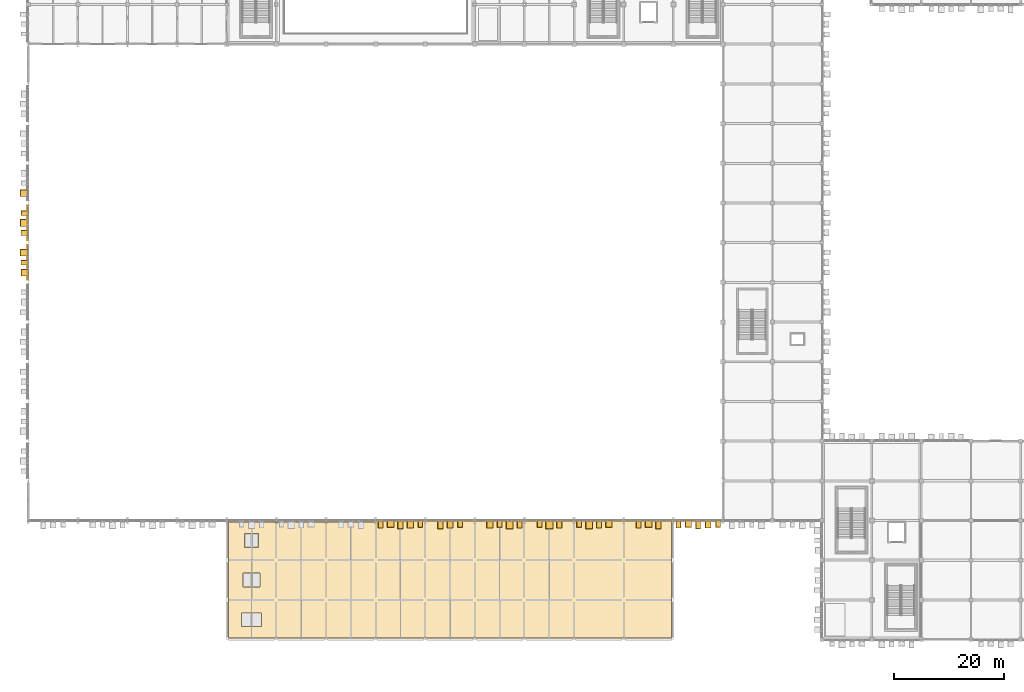
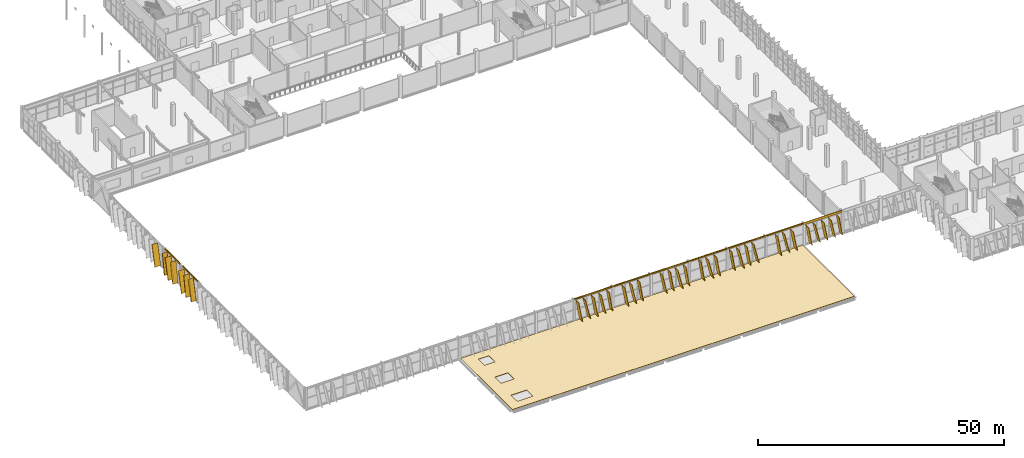
# One storey, part 159 of 189: 44 coverings, 34 shading devices.
"""IFC4 building model written with IfcOpenShell, lengths in metres."""

from ifc_helpers import new_model, si_unit, direction, frame, origin, origin_2d, place, context, subcontext, project, spatial, polyline, rectangle, outline, extrude, material, layer, layer_set, material_profile, profile_set, type_object, element, save


model = new_model("IFC4")

# Units and contexts
model_context = context("Model", 3, precision=1e-05, world=origin(), true_north=direction((0.0, 1.0)))
body_context = subcontext(model_context, "Body", "Model", "MODEL_VIEW")
ifc_project = project(units=[si_unit("LENGTHUNIT", "METRE"), si_unit("AREAUNIT", "SQUARE_METRE"), si_unit("VOLUMEUNIT", "CUBIC_METRE"), si_unit("PLANEANGLEUNIT", "RADIAN"), si_unit("MASSUNIT", "GRAM", prefix="KILO")], contexts=[model_context])

# Site, building, storey
site_placement = place(None, origin())
site = spatial("IfcSite", under=ifc_project, at=site_placement, CompositionType="ELEMENT")
building_placement = place(site_placement, origin())
building = spatial("IfcBuilding", under=site, at=building_placement, Name="Celestram Park Convention Centre", CompositionType="ELEMENT")
storey_placement = place(building_placement, frame((0.0, 0.0, 5.39990234375)))
storey = spatial("IfcBuildingStorey", under=building, at=storey_placement, Name="L01", CompositionType="ELEMENT", Elevation=5.39990234375)

# Coverings
ifc_material_1 = material(Name="Anodised Bronze Aluminium Spandrel Cladding", Category="aluminium")
ifc_layer_1 = layer(ifc_material_1, 0.050048828125)
ifc_layer_set_1 = layer_set([ifc_layer_1], Name="Anodised Bronze Aluminium Spandrel Cladding")
covering_type_1 = type_object("IfcCoveringType", Name="ARC-COV-CLD060", PredefinedType="CLADDING", material=ifc_layer_set_1)
for number, where, z_axis, x_axis, name in (
    (1, (-0.080078125, 68.39990234375, 5.1201171875), (0.0, 0.0, 1.0), (0.0, 1.0, 0.0), "Bronze spandrel cladding CL-L01-118"),
    (2, (-0.080078125, 75.60009765625, 5.1201171875), (0.0, 0.0, 1.0), (0.0, 1.0, 0.0), "Bronze spandrel cladding CL-L01-119"),
):
    element("IfcCovering", number, at=place(storey_placement, frame(where, z_axis=z_axis, x_axis=x_axis)), inside=storey, type_object=covering_type_1, Name=name, PredefinedType="CLADDING", context=body_context, shape_type="SweptSolid", body=[
        extrude(rectangle(XDim=6.27197265625, YDim=0.1201171875, at=origin_2d()), origin(), (0.0, 0.0, 1.0), 0.280029296875),
    ])
covering_1_placement = place(storey_placement, frame((121.5, 21.52001953125, 4.82421875), z_axis=(0.0, 0.0, 1.0), x_axis=(-1.0, 0.0, 0.0)))
element("IfcCovering", 3, at=covering_1_placement, inside=storey, type_object=covering_type_1, Name="Bronze spandrel cladding CL-L01-127", PredefinedType="CLADDING", context=body_context, shape_type="SweptSolid", body=[
    extrude(rectangle(XDim=8.97998046875, YDim=0.1201171875, at=origin_2d()), origin(), (0.0, 0.0, 1.0), 0.575927734375),
])
for number, where, z_axis, x_axis, name in (
    (4, (112.5, 21.52001953125, 5.047119140625), (0.0, 0.0, 1.0), (-1.0, 0.0, 0.0), "Bronze spandrel cladding CL-L01-128"),
    (5, (103.5, 21.52001953125, 5.047119140625), (0.0, 0.0, 1.0), (-1.0, 0.0, 0.0), "Bronze spandrel cladding CL-L01-129"),
    (6, (94.5, 21.52001953125, 5.047119140625), (0.0, 0.0, 1.0), (-1.0, 0.0, 0.0), "Bronze spandrel cladding CL-L01-130"),
    (7, (85.5, 21.52001953125, 5.047119140625), (0.0, 0.0, 1.0), (-1.0, 0.0, 0.0), "Bronze spandrel cladding CL-L01-131"),
    (8, (76.5, 21.52001953125, 5.047119140625), (0.0, 0.0, 1.0), (-1.0, 0.0, 0.0), "Bronze spandrel cladding CL-L01-132"),
    (9, (67.5, 21.52001953125, 5.047119140625), (0.0, 0.0, 1.0), (-1.0, 0.0, 0.0), "Bronze spandrel cladding CL-L01-133"),
):
    element("IfcCovering", number, at=place(storey_placement, frame(where, z_axis=z_axis, x_axis=x_axis)), inside=storey, type_object=covering_type_1, Name=name, PredefinedType="CLADDING", context=body_context, shape_type="SweptSolid", body=[
        extrude(rectangle(XDim=8.97998046875, YDim=0.1201171875, at=origin_2d()), origin(), (0.0, 0.0, 1.0), 0.35302734375),
    ])
ifc_material_2 = material(Name="Timber-Toned Anodised Aluminium Alloy 6063-T6", Category="wood")
ifc_material_profile_1 = material_profile(ifc_material_2, rectangle(XDim=1.1201171875, YDim=0.090087890625, at=origin_2d()), Name="REED1120X90")
ifc_profile_set_1 = profile_set([ifc_material_profile_1], Name="Timber-Toned Anodised Aluminium Alloy 6063-T6")
covering_type_2 = type_object("IfcCoveringType", Name="ARC-COV-FIN1120", PredefinedType="CLADDING", material=ifc_profile_set_1)
covering_2_placement = place(storey_placement, frame((-0.639892578125, 66.01025390625, 0.074462890625), z_axis=(0.0, 0.231719956135, 0.972782535785), x_axis=(-1.0, 0.0, 0.0)))
element("IfcCovering", 10, at=covering_2_placement, inside=storey, type_object=covering_type_2, Name="Leaning timber-toned reed fin RFN-L01-0363", PredefinedType="CLADDING", context=body_context, shape_type="SweptSolid", body=[
    extrude(rectangle(XDim=1.1201171875, YDim=0.090087890625, at=origin_2d()), origin(), (0.0, 0.0, 1.0), 5.08984375),
])
covering_3_placement = place(storey_placement, frame((-0.639892578125, 76.9931640625, 0.037841796875), z_axis=(0.0, 0.159862743671, 0.987139252176), x_axis=(-1.0, 0.0, 0.0)))
element("IfcCovering", 11, at=covering_3_placement, inside=storey, type_object=covering_type_2, Name="Leaning timber-toned reed fin RFN-L01-0368", PredefinedType="CLADDING", context=body_context, shape_type="SweptSolid", body=[
    extrude(rectangle(XDim=1.1201171875, YDim=0.090087890625, at=origin_2d()), origin(), (0.0, 0.0, 1.0), 5.090087890625),
])
for number, where, z_axis, x_axis, name in (
    (12, (125.483154296875, 20.9599609375, 0.035888671875), (-0.159855237728, 0.0, 0.9871404677), (0.0, -1.0, 0.0), "Leaning timber-toned reed fin RFN-L01-0392"),
    (13, (120.255615234375, 20.9599609375, 0.0703125), (-0.231760514524, 0.0, 0.972772873752), (0.0, -1.0, 0.0), "Leaning timber-toned reed fin RFN-L01-0395"),
):
    element("IfcCovering", number, at=place(storey_placement, frame(where, z_axis=z_axis, x_axis=x_axis)), inside=storey, type_object=covering_type_2, Name=name, PredefinedType="CLADDING", context=body_context, shape_type="SweptSolid", body=[
        extrude(rectangle(XDim=1.1201171875, YDim=0.090087890625, at=origin_2d()), origin(), (0.0, 0.0, 1.0), 4.794189453125),
    ])
for number, where, z_axis, x_axis, name in (
    (14, (113.081298828125, 20.9599609375, 0.073486328125), (-0.231734560707, 0.0, 0.972779056813), (0.0, -1.0, 0.0), "Leaning timber-toned reed fin RFN-L01-0398"),
    (15, (105.88134765625, 20.9599609375, 0.073486328125), (-0.231734560707, 0.0, 0.972779056813), (0.0, -1.0, 0.0), "Leaning timber-toned reed fin RFN-L01-0400"),
    (16, (100.301025390625, 20.9599609375, 0.037353515625), (-0.159907121686, 0.0, 0.987132064333), (0.0, -1.0, 0.0), "Leaning timber-toned reed fin RFN-L01-0403"),
    (17, (93.10107421875, 20.9599609375, 0.037353515625), (-0.159907121686, 0.0, 0.987132064333), (0.0, -1.0, 0.0), "Leaning timber-toned reed fin RFN-L01-0406"),
    (18, (85.901123046875, 20.9599609375, 0.037353515625), (-0.159907121686, 0.0, 0.987132064333), (0.0, -1.0, 0.0), "Leaning timber-toned reed fin RFN-L01-0409"),
    (19, (78.701171875, 20.9599609375, 0.037353515625), (-0.159907121686, 0.0, 0.987132064333), (0.0, -1.0, 0.0), "Leaning timber-toned reed fin RFN-L01-0411"),
    (20, (71.501220703125, 20.9599609375, 0.037353515625), (-0.159907121686, 0.0, 0.987132064333), (0.0, -1.0, 0.0), "Leaning timber-toned reed fin RFN-L01-0414"),
    (21, (66.28125, 20.9599609375, 0.073486328125), (-0.231734560707, 0.0, 0.972779056813), (0.0, -1.0, 0.0), "Leaning timber-toned reed fin RFN-L01-0417"),
):
    element("IfcCovering", number, at=place(storey_placement, frame(where, z_axis=z_axis, x_axis=x_axis)), inside=storey, type_object=covering_type_2, Name=name, PredefinedType="CLADDING", context=body_context, shape_type="SweptSolid", body=[
        extrude(rectangle(XDim=1.1201171875, YDim=0.090087890625, at=origin_2d()), origin(), (0.0, 0.0, 1.0), 5.016845703125),
    ])
ifc_material_profile_2 = material_profile(ifc_material_2, rectangle(XDim=1.280029296875, YDim=0.090087890625, at=origin_2d()), Name="REED1280X90")
ifc_profile_set_2 = profile_set([ifc_material_profile_2], Name="Timber-Toned Anodised Aluminium Alloy 6063-T6")
covering_type_3 = type_object("IfcCoveringType", Name="ARC-COV-FIN1280", PredefinedType="CLADDING", material=ifc_profile_set_2)
for number, where, z_axis, x_axis, name in (
    (22, (-0.719970703125, 67.966796875, 0.042236328125), (0.0, 0.170221715389, 0.985405788297), (-1.0, 0.0, 0.0), "Leaning timber-toned reed fin RFN-L01-0364"),
    (23, (-0.719970703125, 73.36669921875, 0.042236328125), (0.0, 0.170221715389, 0.985405788297), (-1.0, 0.0, 0.0), "Leaning timber-toned reed fin RFN-L01-0366"),
):
    element("IfcCovering", number, at=place(storey_placement, frame(where, z_axis=z_axis, x_axis=x_axis)), inside=storey, type_object=covering_type_3, Name=name, PredefinedType="CLADDING", context=body_context, shape_type="SweptSolid", body=[
        extrude(rectangle(XDim=1.280029296875, YDim=0.090087890625, at=origin_2d()), origin(), (0.0, 0.0, 1.0), 5.090087890625),
    ])
covering_4_placement = place(storey_placement, frame((123.802490234375, 20.8798828125, 0.058349609375), z_axis=(-0.209612557378, 0.0, 0.977784524212), x_axis=(0.0, -1.0, 0.0)))
element("IfcCovering", 24, at=covering_4_placement, inside=storey, type_object=covering_type_3, Name="Leaning timber-toned reed fin RFN-L01-0393", PredefinedType="CLADDING", context=body_context, shape_type="SweptSolid", body=[
    extrude(rectangle(XDim=1.280029296875, YDim=0.090087890625, at=origin_2d()), origin(), (0.0, 0.0, 1.0), 4.7939453125),
])
covering_5_placement = place(storey_placement, frame((118.30810546875, 20.8798828125, 0.0400390625), z_axis=(-0.170242859896, 0.0, 0.985402135503), x_axis=(0.0, -1.0, 0.0)))
element("IfcCovering", 25, at=covering_5_placement, inside=storey, type_object=covering_type_3, Name="Leaning timber-toned reed fin RFN-L01-0396", PredefinedType="CLADDING", context=body_context, shape_type="SweptSolid", body=[
    extrude(rectangle(XDim=1.280029296875, YDim=0.090087890625, at=origin_2d()), origin(), (0.0, 0.0, 1.0), 4.794189453125),
])
for number, where, z_axis, x_axis, name in (
    (26, (111.126953125, 20.8798828125, 0.041748046875), (-0.170219783449, 0.0, 0.985406122024), (0.0, -1.0, 0.0), "Leaning timber-toned reed fin RFN-L01-0399"),
    (27, (103.927001953125, 20.8798828125, 0.041748046875), (-0.170219783449, 0.0, 0.985406122024), (0.0, -1.0, 0.0), "Leaning timber-toned reed fin RFN-L01-0401"),
    (28, (96.72705078125, 20.8798828125, 0.041748046875), (-0.170219783449, 0.0, 0.985406122024), (0.0, -1.0, 0.0), "Leaning timber-toned reed fin RFN-L01-0404"),
    (29, (89.527099609375, 20.8798828125, 0.041748046875), (-0.170219783449, 0.0, 0.985406122024), (0.0, -1.0, 0.0), "Leaning timber-toned reed fin RFN-L01-0407"),
):
    element("IfcCovering", number, at=place(storey_placement, frame(where, z_axis=z_axis, x_axis=x_axis)), inside=storey, type_object=covering_type_3, Name=name, PredefinedType="CLADDING", context=body_context, shape_type="SweptSolid", body=[
        extrude(rectangle(XDim=1.280029296875, YDim=0.090087890625, at=origin_2d()), origin(), (0.0, 0.0, 1.0), 5.01708984375),
    ])
covering_6_placement = place(storey_placement, frame((84.225830078125, 20.8798828125, 0.060791015625), z_axis=(-0.209592231712, 0.0, 0.977788881306), x_axis=(0.0, -1.0, 0.0)))
element("IfcCovering", 30, at=covering_6_placement, inside=storey, type_object=covering_type_3, Name="Leaning timber-toned reed fin RFN-L01-0410", PredefinedType="CLADDING", context=body_context, shape_type="SweptSolid", body=[
    extrude(rectangle(XDim=1.280029296875, YDim=0.090087890625, at=origin_2d()), origin(), (0.0, 0.0, 1.0), 5.016845703125),
])
covering_7_placement = place(storey_placement, frame((77.02587890625, 20.8798828125, 0.060791015625), z_axis=(-0.209638756441, 0.0, 0.977778907421), x_axis=(0.0, -1.0, 0.0)))
element("IfcCovering", 31, at=covering_7_placement, inside=storey, type_object=covering_type_3, Name="Leaning timber-toned reed fin RFN-L01-0412", PredefinedType="CLADDING", context=body_context, shape_type="SweptSolid", body=[
    extrude(rectangle(XDim=1.280029296875, YDim=0.090087890625, at=origin_2d()), origin(), (0.0, 0.0, 1.0), 5.01708984375),
])
covering_8_placement = place(storey_placement, frame((69.82568359375, 20.8798828125, 0.060791015625), z_axis=(-0.209592231712, 0.0, 0.977788881306), x_axis=(0.0, -1.0, 0.0)))
element("IfcCovering", 32, at=covering_8_placement, inside=storey, type_object=covering_type_3, Name="Leaning timber-toned reed fin RFN-L01-0415", PredefinedType="CLADDING", context=body_context, shape_type="SweptSolid", body=[
    extrude(rectangle(XDim=1.280029296875, YDim=0.090087890625, at=origin_2d()), origin(), (0.0, 0.0, 1.0), 5.016845703125),
])
covering_9_placement = place(storey_placement, frame((64.326904296875, 20.8798828125, 0.041748046875), z_axis=(-0.170219783449, 0.0, 0.985406122024), x_axis=(0.0, -1.0, 0.0)))
element("IfcCovering", 33, at=covering_9_placement, inside=storey, type_object=covering_type_3, Name="Leaning timber-toned reed fin RFN-L01-0418", PredefinedType="CLADDING", context=body_context, shape_type="SweptSolid", body=[
    extrude(rectangle(XDim=1.280029296875, YDim=0.090087890625, at=origin_2d()), origin(), (0.0, 0.0, 1.0), 5.01708984375),
])
ifc_material_profile_3 = material_profile(ifc_material_2, rectangle(XDim=1.419921875, YDim=0.090087890625, at=origin_2d()), Name="REED1420X90")
ifc_profile_set_3 = profile_set([ifc_material_profile_3], Name="Timber-Toned Anodised Aluminium Alloy 6063-T6")
covering_type_4 = type_object("IfcCoveringType", Name="ARC-COV-FIN1420", PredefinedType="CLADDING", material=ifc_profile_set_3)
for number, where, z_axis, x_axis, name in (
    (34, (-0.7900390625, 69.593017578125, 0.07861328125), (0.0, 0.238538227201, 0.971133108366), (-1.0, 0.0, 0.0), "Leaning timber-toned reed fin RFN-L01-0365"),
    (35, (-0.7900390625, 74.992919921875, 0.07861328125), (0.0, 0.238538227201, 0.971133108366), (-1.0, 0.0, 0.0), "Leaning timber-toned reed fin RFN-L01-0367"),
    (36, (-0.7900390625, 80.392822265625, 0.07861328125), (0.0, 0.238583463763, 0.971121995848), (-1.0, 0.0, 0.0), "Leaning timber-toned reed fin RFN-L01-0369"),
):
    element("IfcCovering", number, at=place(storey_placement, frame(where, z_axis=z_axis, x_axis=x_axis)), inside=storey, type_object=covering_type_4, Name=name, PredefinedType="CLADDING", context=body_context, shape_type="SweptSolid", body=[
        extrude(rectangle(XDim=1.419921875, YDim=0.090087890625, at=origin_2d()), origin(), (0.0, 0.0, 1.0), 5.08984375),
    ])
covering_10_placement = place(storey_placement, frame((121.9326171875, 20.81005859375, 0.04443359375), z_axis=(-0.180480602654, 0.0, 0.983578543923), x_axis=(0.0, -1.0, 0.0)))
element("IfcCovering", 37, at=covering_10_placement, inside=storey, type_object=covering_type_4, Name="Leaning timber-toned reed fin RFN-L01-0394", PredefinedType="CLADDING", context=body_context, shape_type="SweptSolid", body=[
    extrude(rectangle(XDim=1.419921875, YDim=0.090087890625, at=origin_2d()), origin(), (0.0, 0.0, 1.0), 4.7939453125),
])
covering_11_placement = place(storey_placement, frame((114.752685546875, 20.81005859375, 0.04638671875), z_axis=(-0.180491079023, 0.0, 0.983576621516), x_axis=(0.0, -1.0, 0.0)))
element("IfcCovering", 38, at=covering_11_placement, inside=storey, type_object=covering_type_4, Name="Leaning timber-toned reed fin RFN-L01-0397", PredefinedType="CLADDING", context=body_context, shape_type="SweptSolid", body=[
    extrude(rectangle(XDim=1.419921875, YDim=0.090087890625, at=origin_2d()), origin(), (0.0, 0.0, 1.0), 5.016845703125),
])
for number, where, z_axis, x_axis, name in (
    (39, (102.29833984375, 20.81005859375, 0.077392578125), (-0.238537617447, 0.0, 0.971133258138), (0.0, -1.0, 0.0), "Leaning timber-toned reed fin RFN-L01-0402"),
    (40, (95.098388671875, 20.81005859375, 0.077392578125), (-0.238537617447, 0.0, 0.971133258138), (0.0, -1.0, 0.0), "Leaning timber-toned reed fin RFN-L01-0405"),
    (41, (87.8984375, 20.81005859375, 0.077392578125), (-0.238537617447, 0.0, 0.971133258138), (0.0, -1.0, 0.0), "Leaning timber-toned reed fin RFN-L01-0408"),
):
    element("IfcCovering", number, at=place(storey_placement, frame(where, z_axis=z_axis, x_axis=x_axis)), inside=storey, type_object=covering_type_4, Name=name, PredefinedType="CLADDING", context=body_context, shape_type="SweptSolid", body=[
        extrude(rectangle(XDim=1.419921875, YDim=0.090087890625, at=origin_2d()), origin(), (0.0, 0.0, 1.0), 5.01708984375),
    ])
covering_12_placement = place(storey_placement, frame((75.15283203125, 20.81005859375, 0.04638671875), z_axis=(-0.180491079023, 0.0, 0.983576621516), x_axis=(0.0, -1.0, 0.0)))
element("IfcCovering", 42, at=covering_12_placement, inside=storey, type_object=covering_type_4, Name="Leaning timber-toned reed fin RFN-L01-0413", PredefinedType="CLADDING", context=body_context, shape_type="SweptSolid", body=[
    extrude(rectangle(XDim=1.419921875, YDim=0.090087890625, at=origin_2d()), origin(), (0.0, 0.0, 1.0), 5.016845703125),
])
covering_13_placement = place(storey_placement, frame((67.952880859375, 20.81005859375, 0.04638671875), z_axis=(-0.180538156109, 0.0, 0.983567981478), x_axis=(0.0, -1.0, 0.0)))
element("IfcCovering", 43, at=covering_13_placement, inside=storey, type_object=covering_type_4, Name="Leaning timber-toned reed fin RFN-L01-0416", PredefinedType="CLADDING", context=body_context, shape_type="SweptSolid", body=[
    extrude(rectangle(XDim=1.419921875, YDim=0.090087890625, at=origin_2d()), origin(), (0.0, 0.0, 1.0), 5.01708984375),
])
ifc_material_3 = material(Name="TPO Membrane & Polyisocyanurate Roof Insulation", Category="insulation")
ifc_layer_2 = layer(ifc_material_3, 0.080078125)
ifc_layer_set_2 = layer_set([ifc_layer_2], Name="TPO Membrane & Polyisocyanurate Roof Insulation")
covering_type_5 = type_object("IfcCoveringType", Name="ARC-COV-RFG180", PredefinedType="ROOFING", material=ifc_layer_set_2)
covering_14_placement = place(storey_placement, origin())
element("IfcCovering", 44, at=covering_14_placement, inside=storey, type_object=covering_type_5, Name="Insulated TPO roof membrane RFG-L01-01", PredefinedType="ROOFING", context=body_context, shape_type="SweptSolid", body=[
    extrude(outline(polyline([(36.300048828125, 0.300048828125), (36.300048828125, 21.300048828125), (116.699951171875, 21.300048828125), (116.699951171875, 0.300048828125), (36.300048828125, 0.300048828125)]), holes=[polyline([(42.35009765625, 2.35009765625), (42.35009765625, 4.85009765625), (38.64990234375, 4.85009765625), (38.64990234375, 2.35009765625), (42.35009765625, 2.35009765625)]), polyline([(38.949951171875, 9.550048828125), (42.050048828125, 9.550048828125), (42.050048828125, 12.050048828125), (38.949951171875, 12.050048828125), (38.949951171875, 9.550048828125)]), polyline([(39.25, 16.75), (41.75, 16.75), (41.75, 19.25), (39.25, 19.25), (39.25, 16.75)])]), origin(), (0.0, 0.0, 1.0), 0.080078125),
])

# Shading devices
ifc_material_4 = material(Name="Anodised Bronze Aluminium Alloy 6063-T6", Category="aluminium")
ifc_material_profile_4 = material_profile(ifc_material_4, rectangle(XDim=1.280029296875, YDim=0.080078125, at=origin_2d()), Name="FIN1280X80")
ifc_profile_set_4 = profile_set([ifc_material_profile_4], Name="Anodised Bronze Aluminium Alloy 6063-T6")
shading_device_type = type_object("IfcShadingDeviceType", Name="ARC-FIN-BZ1280", PredefinedType="USERDEFINED", material=ifc_profile_set_4)
shading_device_1_placement = place(storey_placement, frame((-0.639892578125, 66.01025390625, 0.074462890625), z_axis=(0.0, 0.231719956135, 0.972782535785), x_axis=(-1.0, 0.0, 0.0)))
element("IfcShadingDevice", 45, at=shading_device_1_placement, inside=storey, type_object=shading_device_type, Name="Expressive solar fin FN-L01-0363", ObjectType="SOLAR_FIN", PredefinedType="USERDEFINED", context=body_context, shape_type="SweptSolid", body=[
    extrude(rectangle(XDim=1.280029296875, YDim=0.080078125, at=origin_2d()), origin(), (0.0, 0.0, 1.0), 5.08984375),
])
shading_device_2_placement = place(storey_placement, frame((-0.719970703125, 67.966796875, 0.042236328125), z_axis=(0.0, 0.170221715389, 0.985405788297), x_axis=(-1.0, 0.0, 0.0)))
element("IfcShadingDevice", 46, at=shading_device_2_placement, inside=storey, type_object=shading_device_type, Name="Expressive solar fin FN-L01-0364", ObjectType="SOLAR_FIN", PredefinedType="USERDEFINED", context=body_context, shape_type="SweptSolid", body=[
    extrude(rectangle(XDim=1.280029296875, YDim=0.080078125, at=origin_2d()), origin(), (0.0, 0.0, 1.0), 5.090087890625),
])
shading_device_3_placement = place(storey_placement, frame((-0.7900390625, 69.593017578125, 0.07861328125), z_axis=(0.0, 0.238538227201, 0.971133108366), x_axis=(-1.0, 0.0, 0.0)))
element("IfcShadingDevice", 47, at=shading_device_3_placement, inside=storey, type_object=shading_device_type, Name="Expressive solar fin FN-L01-0365", ObjectType="SOLAR_FIN", PredefinedType="USERDEFINED", context=body_context, shape_type="SweptSolid", body=[
    extrude(rectangle(XDim=1.280029296875, YDim=0.080078125, at=origin_2d()), origin(), (0.0, 0.0, 1.0), 5.08984375),
])
shading_device_4_placement = place(storey_placement, frame((-0.719970703125, 73.36669921875, 0.042236328125), z_axis=(0.0, 0.170221715389, 0.985405788297), x_axis=(-1.0, 0.0, 0.0)))
element("IfcShadingDevice", 48, at=shading_device_4_placement, inside=storey, type_object=shading_device_type, Name="Expressive solar fin FN-L01-0366", ObjectType="SOLAR_FIN", PredefinedType="USERDEFINED", context=body_context, shape_type="SweptSolid", body=[
    extrude(rectangle(XDim=1.280029296875, YDim=0.080078125, at=origin_2d()), origin(), (0.0, 0.0, 1.0), 5.090087890625),
])
shading_device_5_placement = place(storey_placement, frame((-0.7900390625, 74.992919921875, 0.07861328125), z_axis=(0.0, 0.238538227201, 0.971133108366), x_axis=(-1.0, 0.0, 0.0)))
element("IfcShadingDevice", 49, at=shading_device_5_placement, inside=storey, type_object=shading_device_type, Name="Expressive solar fin FN-L01-0367", ObjectType="SOLAR_FIN", PredefinedType="USERDEFINED", context=body_context, shape_type="SweptSolid", body=[
    extrude(rectangle(XDim=1.280029296875, YDim=0.080078125, at=origin_2d()), origin(), (0.0, 0.0, 1.0), 5.08984375),
])
shading_device_6_placement = place(storey_placement, frame((-0.639892578125, 76.9931640625, 0.037841796875), z_axis=(0.0, 0.159862743671, 0.987139252176), x_axis=(-1.0, 0.0, 0.0)))
element("IfcShadingDevice", 50, at=shading_device_6_placement, inside=storey, type_object=shading_device_type, Name="Expressive solar fin FN-L01-0368", ObjectType="SOLAR_FIN", PredefinedType="USERDEFINED", context=body_context, shape_type="SweptSolid", body=[
    extrude(rectangle(XDim=1.280029296875, YDim=0.080078125, at=origin_2d()), origin(), (0.0, 0.0, 1.0), 5.090087890625),
])
shading_device_7_placement = place(storey_placement, frame((-0.7900390625, 80.392822265625, 0.07861328125), z_axis=(0.0, 0.238583463763, 0.971121995848), x_axis=(-1.0, 0.0, 0.0)))
element("IfcShadingDevice", 51, at=shading_device_7_placement, inside=storey, type_object=shading_device_type, Name="Expressive solar fin FN-L01-0369", ObjectType="SOLAR_FIN", PredefinedType="USERDEFINED", context=body_context, shape_type="SweptSolid", body=[
    extrude(rectangle(XDim=1.280029296875, YDim=0.080078125, at=origin_2d()), origin(), (0.0, 0.0, 1.0), 5.08984375),
])
shading_device_8_placement = place(storey_placement, frame((125.483154296875, 20.9599609375, 0.035888671875), z_axis=(-0.159855237728, 0.0, 0.9871404677), x_axis=(0.0, -1.0, 0.0)))
element("IfcShadingDevice", 52, at=shading_device_8_placement, inside=storey, type_object=shading_device_type, Name="Expressive solar fin FN-L01-0392", ObjectType="SOLAR_FIN", PredefinedType="USERDEFINED", context=body_context, shape_type="SweptSolid", body=[
    extrude(rectangle(XDim=1.280029296875, YDim=0.080078125, at=origin_2d()), origin(), (0.0, 0.0, 1.0), 4.794189453125),
])
for number, where, z_axis, x_axis, name in (
    (53, (123.802490234375, 20.8798828125, 0.058349609375), (-0.209612557378, 0.0, 0.977784524212), (0.0, -1.0, 0.0), "Expressive solar fin FN-L01-0393"),
    (54, (121.9326171875, 20.81005859375, 0.04443359375), (-0.180480602654, 0.0, 0.983578543923), (0.0, -1.0, 0.0), "Expressive solar fin FN-L01-0394"),
):
    element("IfcShadingDevice", number, at=place(storey_placement, frame(where, z_axis=z_axis, x_axis=x_axis)), inside=storey, type_object=shading_device_type, Name=name, ObjectType="SOLAR_FIN", PredefinedType="USERDEFINED", context=body_context, shape_type="SweptSolid", body=[
        extrude(rectangle(XDim=1.280029296875, YDim=0.080078125, at=origin_2d()), origin(), (0.0, 0.0, 1.0), 4.7939453125),
    ])
for number, where, z_axis, x_axis, name in (
    (55, (120.255615234375, 20.9599609375, 0.0703125), (-0.231760514524, 0.0, 0.972772873752), (0.0, -1.0, 0.0), "Expressive solar fin FN-L01-0395"),
    (56, (118.30810546875, 20.8798828125, 0.0400390625), (-0.170242859896, 0.0, 0.985402135503), (0.0, -1.0, 0.0), "Expressive solar fin FN-L01-0396"),
):
    element("IfcShadingDevice", number, at=place(storey_placement, frame(where, z_axis=z_axis, x_axis=x_axis)), inside=storey, type_object=shading_device_type, Name=name, ObjectType="SOLAR_FIN", PredefinedType="USERDEFINED", context=body_context, shape_type="SweptSolid", body=[
        extrude(rectangle(XDim=1.280029296875, YDim=0.080078125, at=origin_2d()), origin(), (0.0, 0.0, 1.0), 4.794189453125),
    ])
for number, where, z_axis, x_axis, name in (
    (57, (114.752685546875, 20.81005859375, 0.04638671875), (-0.180491079023, 0.0, 0.983576621516), (0.0, -1.0, 0.0), "Expressive solar fin FN-L01-0397"),
    (58, (113.081298828125, 20.9599609375, 0.073486328125), (-0.231734560707, 0.0, 0.972779056813), (0.0, -1.0, 0.0), "Expressive solar fin FN-L01-0398"),
):
    element("IfcShadingDevice", number, at=place(storey_placement, frame(where, z_axis=z_axis, x_axis=x_axis)), inside=storey, type_object=shading_device_type, Name=name, ObjectType="SOLAR_FIN", PredefinedType="USERDEFINED", context=body_context, shape_type="SweptSolid", body=[
        extrude(rectangle(XDim=1.280029296875, YDim=0.080078125, at=origin_2d()), origin(), (0.0, 0.0, 1.0), 5.016845703125),
    ])
shading_device_9_placement = place(storey_placement, frame((111.126953125, 20.8798828125, 0.041748046875), z_axis=(-0.170219783449, 0.0, 0.985406122024), x_axis=(0.0, -1.0, 0.0)))
element("IfcShadingDevice", 59, at=shading_device_9_placement, inside=storey, type_object=shading_device_type, Name="Expressive solar fin FN-L01-0399", ObjectType="SOLAR_FIN", PredefinedType="USERDEFINED", context=body_context, shape_type="SweptSolid", body=[
    extrude(rectangle(XDim=1.280029296875, YDim=0.080078125, at=origin_2d()), origin(), (0.0, 0.0, 1.0), 5.01708984375),
])
shading_device_10_placement = place(storey_placement, frame((105.88134765625, 20.9599609375, 0.073486328125), z_axis=(-0.231734560707, 0.0, 0.972779056813), x_axis=(0.0, -1.0, 0.0)))
element("IfcShadingDevice", 60, at=shading_device_10_placement, inside=storey, type_object=shading_device_type, Name="Expressive solar fin FN-L01-0400", ObjectType="SOLAR_FIN", PredefinedType="USERDEFINED", context=body_context, shape_type="SweptSolid", body=[
    extrude(rectangle(XDim=1.280029296875, YDim=0.080078125, at=origin_2d()), origin(), (0.0, 0.0, 1.0), 5.016845703125),
])
for number, where, z_axis, x_axis, name in (
    (61, (103.927001953125, 20.8798828125, 0.041748046875), (-0.170219783449, 0.0, 0.985406122024), (0.0, -1.0, 0.0), "Expressive solar fin FN-L01-0401"),
    (62, (102.29833984375, 20.81005859375, 0.077392578125), (-0.238537617447, 0.0, 0.971133258138), (0.0, -1.0, 0.0), "Expressive solar fin FN-L01-0402"),
):
    element("IfcShadingDevice", number, at=place(storey_placement, frame(where, z_axis=z_axis, x_axis=x_axis)), inside=storey, type_object=shading_device_type, Name=name, ObjectType="SOLAR_FIN", PredefinedType="USERDEFINED", context=body_context, shape_type="SweptSolid", body=[
        extrude(rectangle(XDim=1.280029296875, YDim=0.080078125, at=origin_2d()), origin(), (0.0, 0.0, 1.0), 5.01708984375),
    ])
shading_device_11_placement = place(storey_placement, frame((100.301025390625, 20.9599609375, 0.037353515625), z_axis=(-0.159907121686, 0.0, 0.987132064333), x_axis=(0.0, -1.0, 0.0)))
element("IfcShadingDevice", 63, at=shading_device_11_placement, inside=storey, type_object=shading_device_type, Name="Expressive solar fin FN-L01-0403", ObjectType="SOLAR_FIN", PredefinedType="USERDEFINED", context=body_context, shape_type="SweptSolid", body=[
    extrude(rectangle(XDim=1.280029296875, YDim=0.080078125, at=origin_2d()), origin(), (0.0, 0.0, 1.0), 5.016845703125),
])
for number, where, z_axis, x_axis, name in (
    (64, (96.72705078125, 20.8798828125, 0.041748046875), (-0.170219783449, 0.0, 0.985406122024), (0.0, -1.0, 0.0), "Expressive solar fin FN-L01-0404"),
    (65, (95.098388671875, 20.81005859375, 0.077392578125), (-0.238537617447, 0.0, 0.971133258138), (0.0, -1.0, 0.0), "Expressive solar fin FN-L01-0405"),
):
    element("IfcShadingDevice", number, at=place(storey_placement, frame(where, z_axis=z_axis, x_axis=x_axis)), inside=storey, type_object=shading_device_type, Name=name, ObjectType="SOLAR_FIN", PredefinedType="USERDEFINED", context=body_context, shape_type="SweptSolid", body=[
        extrude(rectangle(XDim=1.280029296875, YDim=0.080078125, at=origin_2d()), origin(), (0.0, 0.0, 1.0), 5.01708984375),
    ])
shading_device_12_placement = place(storey_placement, frame((93.10107421875, 20.9599609375, 0.037353515625), z_axis=(-0.159907121686, 0.0, 0.987132064333), x_axis=(0.0, -1.0, 0.0)))
element("IfcShadingDevice", 66, at=shading_device_12_placement, inside=storey, type_object=shading_device_type, Name="Expressive solar fin FN-L01-0406", ObjectType="SOLAR_FIN", PredefinedType="USERDEFINED", context=body_context, shape_type="SweptSolid", body=[
    extrude(rectangle(XDim=1.280029296875, YDim=0.080078125, at=origin_2d()), origin(), (0.0, 0.0, 1.0), 5.016845703125),
])
for number, where, z_axis, x_axis, name in (
    (67, (89.527099609375, 20.8798828125, 0.041748046875), (-0.170219783449, 0.0, 0.985406122024), (0.0, -1.0, 0.0), "Expressive solar fin FN-L01-0407"),
    (68, (87.8984375, 20.81005859375, 0.077392578125), (-0.238537617447, 0.0, 0.971133258138), (0.0, -1.0, 0.0), "Expressive solar fin FN-L01-0408"),
):
    element("IfcShadingDevice", number, at=place(storey_placement, frame(where, z_axis=z_axis, x_axis=x_axis)), inside=storey, type_object=shading_device_type, Name=name, ObjectType="SOLAR_FIN", PredefinedType="USERDEFINED", context=body_context, shape_type="SweptSolid", body=[
        extrude(rectangle(XDim=1.280029296875, YDim=0.080078125, at=origin_2d()), origin(), (0.0, 0.0, 1.0), 5.01708984375),
    ])
for number, where, z_axis, x_axis, name in (
    (69, (85.901123046875, 20.9599609375, 0.037353515625), (-0.159907121686, 0.0, 0.987132064333), (0.0, -1.0, 0.0), "Expressive solar fin FN-L01-0409"),
    (70, (84.225830078125, 20.8798828125, 0.060791015625), (-0.209592231712, 0.0, 0.977788881306), (0.0, -1.0, 0.0), "Expressive solar fin FN-L01-0410"),
    (71, (78.701171875, 20.9599609375, 0.037353515625), (-0.159907121686, 0.0, 0.987132064333), (0.0, -1.0, 0.0), "Expressive solar fin FN-L01-0411"),
):
    element("IfcShadingDevice", number, at=place(storey_placement, frame(where, z_axis=z_axis, x_axis=x_axis)), inside=storey, type_object=shading_device_type, Name=name, ObjectType="SOLAR_FIN", PredefinedType="USERDEFINED", context=body_context, shape_type="SweptSolid", body=[
        extrude(rectangle(XDim=1.280029296875, YDim=0.080078125, at=origin_2d()), origin(), (0.0, 0.0, 1.0), 5.016845703125),
    ])
shading_device_13_placement = place(storey_placement, frame((77.02587890625, 20.8798828125, 0.060791015625), z_axis=(-0.209638756441, 0.0, 0.977778907421), x_axis=(0.0, -1.0, 0.0)))
element("IfcShadingDevice", 72, at=shading_device_13_placement, inside=storey, type_object=shading_device_type, Name="Expressive solar fin FN-L01-0412", ObjectType="SOLAR_FIN", PredefinedType="USERDEFINED", context=body_context, shape_type="SweptSolid", body=[
    extrude(rectangle(XDim=1.280029296875, YDim=0.080078125, at=origin_2d()), origin(), (0.0, 0.0, 1.0), 5.01708984375),
])
for number, where, z_axis, x_axis, name in (
    (73, (75.15283203125, 20.81005859375, 0.04638671875), (-0.180491079023, 0.0, 0.983576621516), (0.0, -1.0, 0.0), "Expressive solar fin FN-L01-0413"),
    (74, (71.501220703125, 20.9599609375, 0.037353515625), (-0.159907121686, 0.0, 0.987132064333), (0.0, -1.0, 0.0), "Expressive solar fin FN-L01-0414"),
    (75, (69.82568359375, 20.8798828125, 0.060791015625), (-0.209592231712, 0.0, 0.977788881306), (0.0, -1.0, 0.0), "Expressive solar fin FN-L01-0415"),
):
    element("IfcShadingDevice", number, at=place(storey_placement, frame(where, z_axis=z_axis, x_axis=x_axis)), inside=storey, type_object=shading_device_type, Name=name, ObjectType="SOLAR_FIN", PredefinedType="USERDEFINED", context=body_context, shape_type="SweptSolid", body=[
        extrude(rectangle(XDim=1.280029296875, YDim=0.080078125, at=origin_2d()), origin(), (0.0, 0.0, 1.0), 5.016845703125),
    ])
shading_device_14_placement = place(storey_placement, frame((67.952880859375, 20.81005859375, 0.04638671875), z_axis=(-0.180538156109, 0.0, 0.983567981478), x_axis=(0.0, -1.0, 0.0)))
element("IfcShadingDevice", 76, at=shading_device_14_placement, inside=storey, type_object=shading_device_type, Name="Expressive solar fin FN-L01-0416", ObjectType="SOLAR_FIN", PredefinedType="USERDEFINED", context=body_context, shape_type="SweptSolid", body=[
    extrude(rectangle(XDim=1.280029296875, YDim=0.080078125, at=origin_2d()), origin(), (0.0, 0.0, 1.0), 5.01708984375),
])
shading_device_15_placement = place(storey_placement, frame((66.28125, 20.9599609375, 0.073486328125), z_axis=(-0.231734560707, 0.0, 0.972779056813), x_axis=(0.0, -1.0, 0.0)))
element("IfcShadingDevice", 77, at=shading_device_15_placement, inside=storey, type_object=shading_device_type, Name="Expressive solar fin FN-L01-0417", ObjectType="SOLAR_FIN", PredefinedType="USERDEFINED", context=body_context, shape_type="SweptSolid", body=[
    extrude(rectangle(XDim=1.280029296875, YDim=0.080078125, at=origin_2d()), origin(), (0.0, 0.0, 1.0), 5.016845703125),
])
shading_device_16_placement = place(storey_placement, frame((64.326904296875, 20.8798828125, 0.041748046875), z_axis=(-0.170219783449, 0.0, 0.985406122024), x_axis=(0.0, -1.0, 0.0)))
element("IfcShadingDevice", 78, at=shading_device_16_placement, inside=storey, type_object=shading_device_type, Name="Expressive solar fin FN-L01-0418", ObjectType="SOLAR_FIN", PredefinedType="USERDEFINED", context=body_context, shape_type="SweptSolid", body=[
    extrude(rectangle(XDim=1.280029296875, YDim=0.080078125, at=origin_2d()), origin(), (0.0, 0.0, 1.0), 5.01708984375),
])

save(model, "model.ifc")
